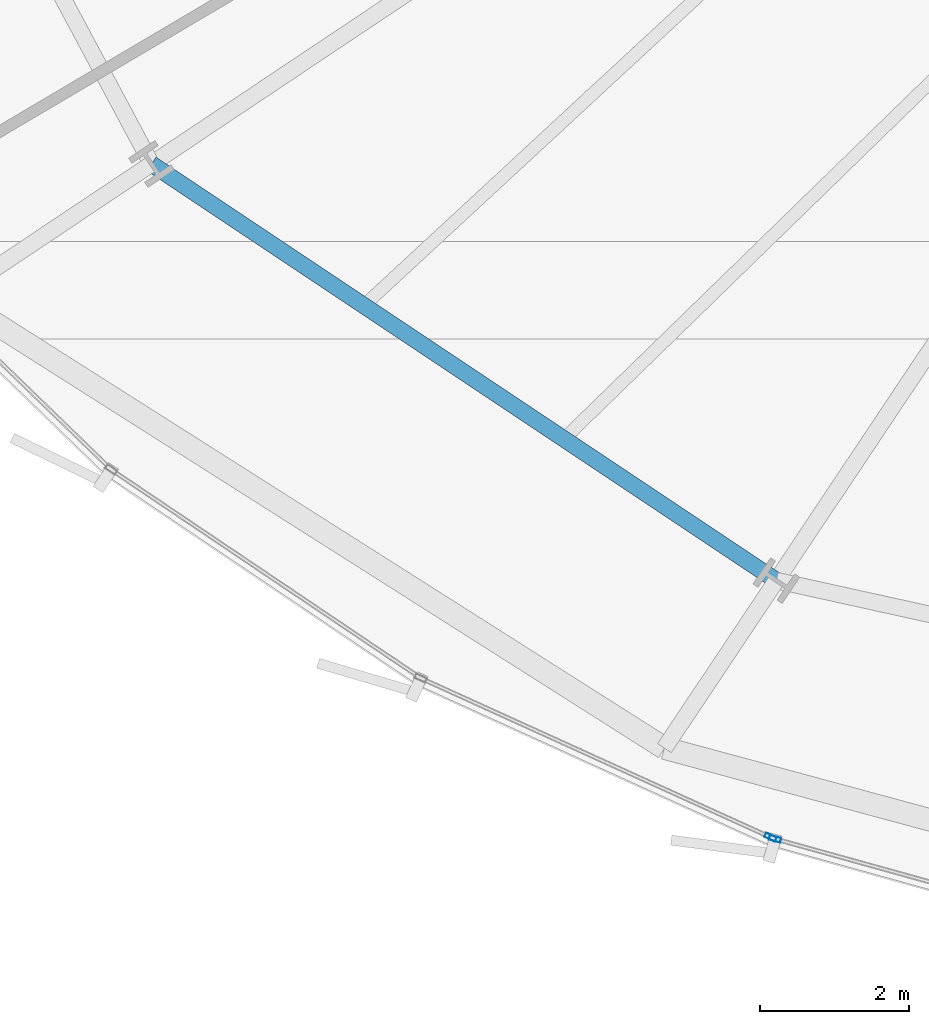
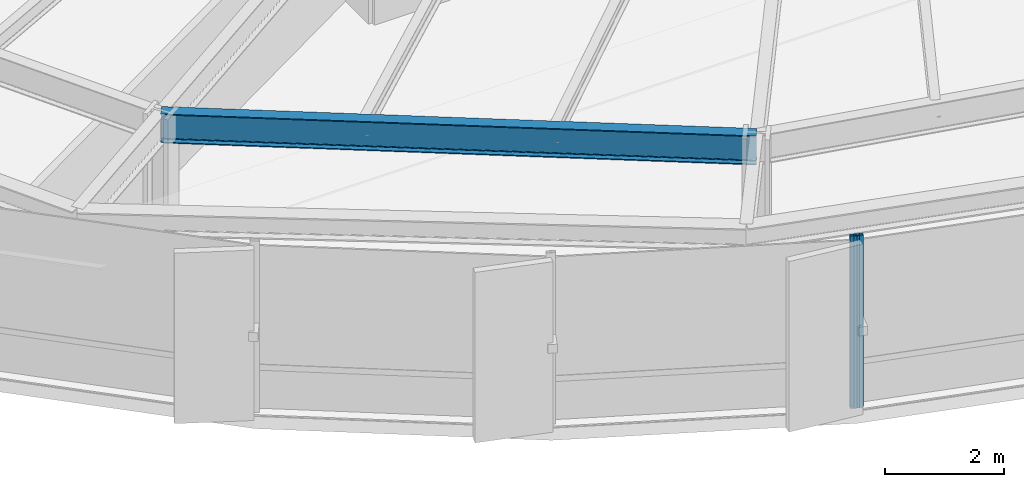
# One storey, part 4 of 38: 2 members, 1 beam, 2 elements without a shape of their own.
"""IFC4 building model written with IfcOpenShell, lengths in metres."""

from ifc_helpers import new_model, si_unit, direction, frame, origin, origin_2d, place, context, subcontext, project, spatial, hollow_rectangle, i_section, extrude, source, transform, mapped, material, layer, layer_set, material_profile, profile_set, type_object, element, aggregate, save


model = new_model("IFC4")

# Units and contexts
model_context = context("Model", 3, precision=1e-05, world=origin(), true_north=direction((0.0, 1.0)))
body_context = subcontext(model_context, "Body", "Model", "MODEL_VIEW")
ifc_project = project(units=[si_unit("LENGTHUNIT", "METRE"), si_unit("AREAUNIT", "SQUARE_METRE"), si_unit("VOLUMEUNIT", "CUBIC_METRE"), si_unit("PLANEANGLEUNIT", "RADIAN"), si_unit("MASSUNIT", "GRAM", prefix="KILO"), si_unit("THERMODYNAMICTEMPERATUREUNIT", "KELVIN")], contexts=[model_context])

# Site, building, storey
site_placement = place(None, origin())
site = spatial("IfcSite", under=ifc_project, at=site_placement, CompositionType="ELEMENT")
building_placement = place(site_placement, origin())
building = spatial("IfcBuilding", under=site, at=building_placement, Name="Kethvar Cultural Tower", CompositionType="ELEMENT")
storey_placement = place(building_placement, frame((0.0, 0.0, 52.39990234375)))
storey = spatial("IfcBuildingStorey", under=building, at=storey_placement, Name="L12", CompositionType="ELEMENT", Elevation=52.39990234375)

# Beam
ifc_material_1 = material(Name="Steel S355J2", Category="steel")
ifc_material_profile_1 = material_profile(ifc_material_1, i_section(OverallWidth=0.219970703125, OverallDepth=0.60009765625, WebThickness=0.011962890625, FlangeThickness=0.01904296875, FilletRadius=0.02392578125, at=origin_2d()), Name="Steel S355J2 — IPE600")
ifc_profile_set_1 = profile_set([ifc_material_profile_1], Name="Steel S355J2 — IPE600")
beam_type = type_object("IfcBeamType", Name="BM-IPE600", PredefinedType="BEAM", material=ifc_profile_set_1)
shared_shape_1 = source(origin(), body_context, "Body", "SweptSolid", [
    extrude(i_section(OverallWidth=0.219970703125, OverallDepth=0.60009765625, WebThickness=0.011962890625, FlangeThickness=0.01904296875, FilletRadius=0.02392578125, at=origin_2d()), origin(), (0.0, 0.0, 1.0), 10.06787109375),
])
beam_placement = place(storey_placement, frame((24.9248046875, 13.183349609375, 3.248046875), z_axis=(0.832065216665, -0.554677812083, 0.0), x_axis=(0.554677812083, 0.832065216665, 0.0)))
element("IfcBeam", 1, at=beam_placement, inside=storey, type_object=beam_type, Name="L12 Column Ring Tie Beam CR-10", PredefinedType="BEAM", context=body_context, shape_type="MappedRepresentation", body=[
    mapped(shared_shape_1, transform((0.0, 0.0, 0.0), scale=1.0)),
])

# Curtain wall, member
ifc_material_2 = material(Name="Aluminium 6063-T6", Category="aluminium")
ifc_layer = layer(ifc_material_2, 0.179931640625, Name="Aluminium 6063-T6", Category="aluminium")
ifc_layer_set = layer_set([ifc_layer], Name="Aluminium 6063-T6 (180 mm)")
curtain_wall_type = type_object("IfcCurtainWallType", Name="CW-SYS-02-Z1", PredefinedType="NOTDEFINED", material=ifc_layer_set)
curtain_wall_1_placement = place(storey_placement, origin())
curtain_wall_1 = element("IfcCurtainWall", 2, at=curtain_wall_1_placement, inside=storey, type_object=curtain_wall_type, Name="L12 Curtain Wall Run 04", PredefinedType="NOTDEFINED")
ifc_material_profile_2 = material_profile(ifc_material_2, hollow_rectangle(XDim=0.06494140625, YDim=0.159912109375, WallThickness=0.0048828125, at=origin_2d()), Name="Aluminium 6063-T6 — RHS160x65x5")
ifc_profile_set_2 = profile_set([ifc_material_profile_2], Name="Aluminium 6063-T6 — RHS160x65x5")
member_type = type_object("IfcMemberType", Name="CW-SYS-02-Z1-MUL", PredefinedType="MULLION", material=ifc_profile_set_2)
shared_shape_2 = source(origin(), body_context, "Body", "SweptSolid", [
    extrude(hollow_rectangle(XDim=0.06494140625, YDim=0.159912109375, WallThickness=0.0048828125, at=origin_2d()), origin(), (0.0, 0.0, 1.0), 3.550048828125),
])
member_1_placement = place(storey_placement, frame((33.222900390625, 4.157958984375, 0.0), z_axis=(0.0, 0.0, 1.0), x_axis=(0.413994320354, 0.910279464074, 0.0)))
member_1 = element("IfcMember", 3, at=member_1_placement, type_object=member_type, Name="CW-L12-R04 Mullion 7", PredefinedType="MULLION", context=body_context, shape_type="MappedRepresentation", body=[
    mapped(shared_shape_2, transform((0.0, 0.0, 0.0), scale=1.0)),
])
aggregate(curtain_wall_1, [member_1])

curtain_wall_2_placement = place(storey_placement, origin())
curtain_wall_2 = element("IfcCurtainWall", 4, at=curtain_wall_2_placement, inside=storey, type_object=curtain_wall_type, Name="L12 Curtain Wall Run 05", PredefinedType="NOTDEFINED")
member_2_placement = place(storey_placement, frame((33.284423828125, 4.135498046875, 0.0), z_axis=(0.0, 0.0, 1.0), x_axis=(0.267557913338, 0.963541780625, 0.0)))
member_2 = element("IfcMember", 5, at=member_2_placement, type_object=member_type, Name="CW-L12-R05 Mullion 1", PredefinedType="MULLION", context=body_context, shape_type="MappedRepresentation", body=[
    mapped(shared_shape_2, transform((0.0, 0.0, 0.0), scale=1.0)),
])
aggregate(curtain_wall_2, [member_2])

save(model, "model.ifc")
